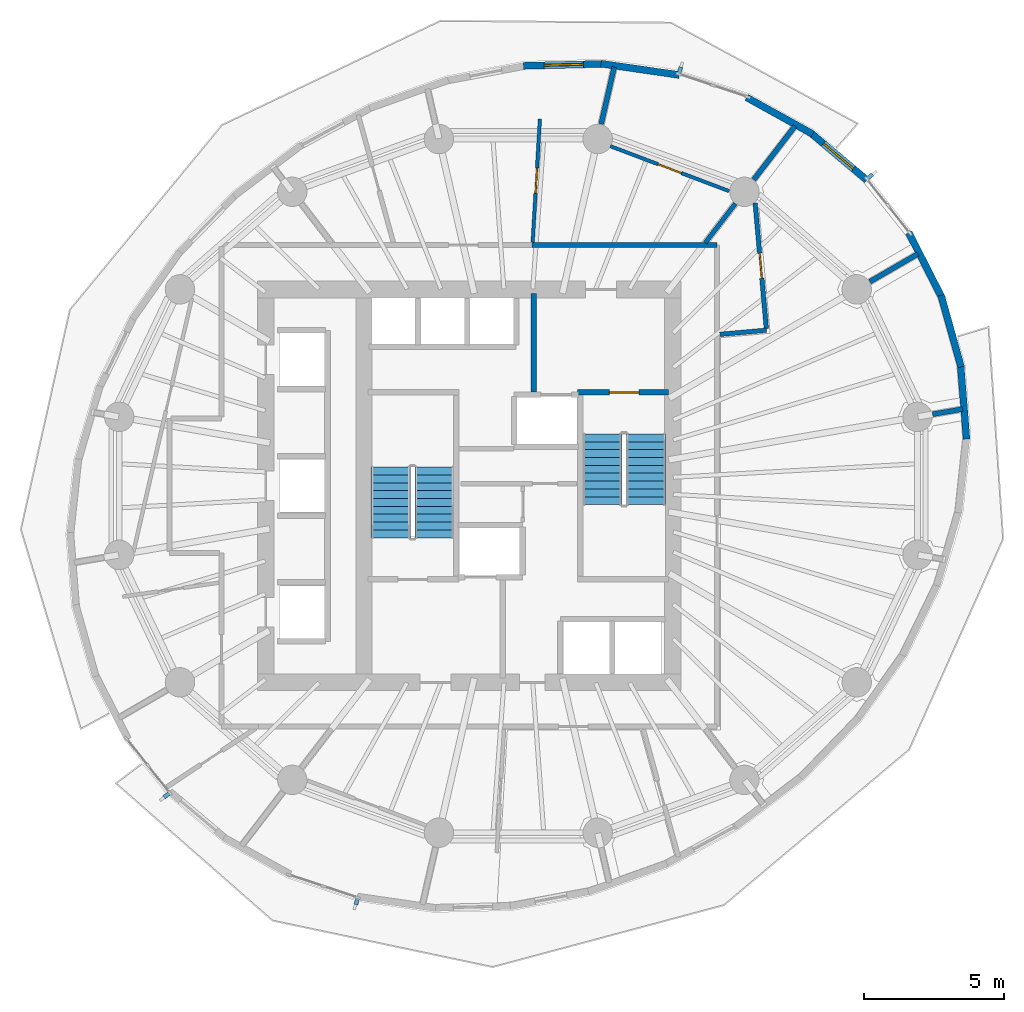
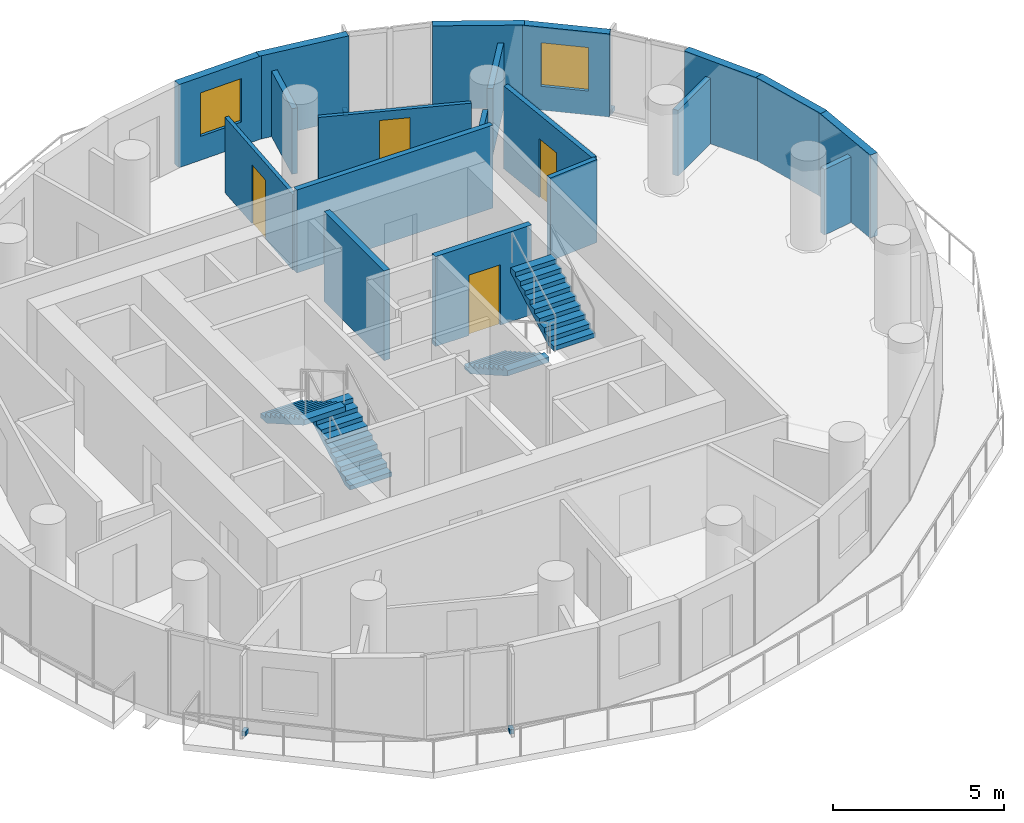
# One storey, part 7 of 12: 19 walls, 4 discrete accessories, 4 doors, 4 stair flights, 2 windows, 6 openings, 2 elements without a shape of their own.
"""IFC4 building model written with IfcOpenShell, lengths in metres."""

from ifc_helpers import new_model, si_unit, direction, frame, frame_2d, origin, origin_2d, place, context, subcontext, project, spatial, polyline, rectangle, outline, extrude, material, layer, layer_set, type_object, element, fill, aggregate, save


model = new_model("IFC4")

# Units and contexts
model_context = context("Model", 3, precision=1e-05, world=origin(), true_north=direction((0.0, 1.0)))
body_context = subcontext(model_context, "Body", "Model", "MODEL_VIEW")
ifc_project = project(units=[si_unit("LENGTHUNIT", "METRE"), si_unit("AREAUNIT", "SQUARE_METRE"), si_unit("VOLUMEUNIT", "CUBIC_METRE"), si_unit("PLANEANGLEUNIT", "RADIAN"), si_unit("MASSUNIT", "GRAM", prefix="KILO")], contexts=[model_context])

# Site, building, storey
site_placement = place(None, origin())
site = spatial("IfcSite", under=ifc_project, at=site_placement, CompositionType="ELEMENT")
building_placement = place(site_placement, origin())
building = spatial("IfcBuilding", under=site, at=building_placement, Name="Veldorim Arch Residences", CompositionType="ELEMENT")
storey_placement = place(building_placement, frame((0.0, 0.0, 136.159912109375)))
storey = spatial("IfcBuildingStorey", under=building, at=storey_placement, Name="L40", CompositionType="ELEMENT", Elevation=136.159912109375)

# Wall, opening, door
ifc_material_1 = material(Name="Acoustic Gypsum Board", Category="gypsum")
ifc_layer_1 = layer(ifc_material_1, 0.125, Name="Acoustic Stud Room Partition Wall 125")
ifc_layer_set_1 = layer_set([ifc_layer_1], Name="Acoustic Gypsum Board")
wall_type_1 = type_object("IfcWallType", Name="Acoustic Stud Room Partition Wall 125", PredefinedType="PARTITIONING", material=ifc_layer_set_1)
wall_1_placement = place(storey_placement, frame((32.76904296875, 37.07275390625, 0.0), z_axis=(0.0, 0.0, 1.0), x_axis=(-0.058751291398, -0.998272651012, 0.0)))
wall_1 = element("IfcWall", 1, at=wall_1_placement, inside=storey, type_object=wall_type_1, Name="L40 interior wall WL-RES-L40-020", PredefinedType="PARTITIONING", context=body_context, shape_type="SweptSolid", body=[
    extrude(rectangle(XDim=4.400634765625, YDim=0.125, at=frame_2d((2.2001953125, 0.0))), origin(), (0.0, 0.0, 1.0), 2.692138671875),
])
opening_1_placement = place(wall_1_placement, frame((1.750244140625, 0.0, 0.0)))
opening_1 = element("IfcOpeningElement", 2, at=opening_1_placement, cuts=wall_1, Name="Opening DR-INT", PredefinedType="OPENING", context=body_context, shape_type="SweptSolid", body=[
    extrude(rectangle(XDim=0.89990234375, YDim=2.10009765625, at=frame_2d((0.449951171875, 1.050048828125))), frame((0.0, 0.072509765625, 0.0), z_axis=(0.0, -1.0, 0.0), x_axis=(1.0, 0.0, 0.0)), (0.0, 0.0, 1.0), 0.14501953125),
])
ifc_material_2 = material(Name="Engineered Timber", Category="wood")
door_type_1 = type_object("IfcDoorType", Name="Apartment Internal Room Timber Door 900x2100", OperationType="SINGLE_SWING_LEFT", PredefinedType="DOOR", material=ifc_material_2)
door_1_placement = place(opening_1_placement, origin())
door_1 = element("IfcDoor", 3, at=door_1_placement, inside=storey, type_object=door_type_1, Name="L40 interior door DR-RES-L40-009", OperationType="SINGLE_SWING_LEFT", OverallHeight=2.10009765625, OverallWidth=0.89990234375, PredefinedType="DOOR", context=body_context, shape_type="SweptSolid", body=[
    extrude(rectangle(XDim=0.89990234375, YDim=2.10009765625, at=frame_2d((0.449951171875, 1.050048828125))), frame((0.0, 0.02490234375, 0.0), z_axis=(0.0, -1.0, 0.0), x_axis=(1.0, 0.0, 0.0)), (0.0, 0.0, 1.0), 0.050048828125),
])
fill(opening_1, door_1)

wall_2_placement = place(storey_placement, frame((35.2783203125, 36.10302734375, 0.0), z_axis=(0.0, 0.0, 1.0), x_axis=(0.935309901838, -0.353829602385, 0.0)))
wall_2 = element("IfcWall", 4, at=wall_2_placement, inside=storey, type_object=wall_type_1, Name="L40 interior wall WL-RES-L40-022", PredefinedType="PARTITIONING", context=body_context, shape_type="SweptSolid", body=[
    extrude(rectangle(XDim=4.525634765625, YDim=0.125, at=frame_2d((2.2626953125, 0.0))), origin(), (0.0, 0.0, 1.0), 2.411376953125),
])
opening_2_placement = place(wall_2_placement, frame((1.81298828125, 0.0, 0.0)))
opening_2 = element("IfcOpeningElement", 5, at=opening_2_placement, cuts=wall_2, Name="Opening DR-INT", PredefinedType="OPENING", context=body_context, shape_type="SweptSolid", body=[
    extrude(rectangle(XDim=0.89990234375, YDim=2.10009765625, at=frame_2d((0.449951171875, 1.050048828125))), frame((0.0, 0.072509765625, 0.0), z_axis=(0.0, -1.0, 0.0), x_axis=(1.0, 0.0, 0.0)), (0.0, 0.0, 1.0), 0.14501953125),
])
door_2_placement = place(opening_2_placement, origin())
door_2 = element("IfcDoor", 6, at=door_2_placement, inside=storey, type_object=door_type_1, Name="L40 interior door DR-RES-L40-010", OperationType="SINGLE_SWING_RIGHT", OverallHeight=2.10009765625, OverallWidth=0.89990234375, PredefinedType="DOOR", context=body_context, shape_type="SweptSolid", body=[
    extrude(rectangle(XDim=0.89990234375, YDim=2.10009765625, at=frame_2d((0.449951171875, 1.050048828125))), frame((0.0, 0.02490234375, 0.0), z_axis=(0.0, -1.0, 0.0), x_axis=(1.0, 0.0, 0.0)), (0.0, 0.0, 1.0), 0.050048828125),
])
fill(opening_2, door_2)

# Walls
ifc_material_3 = material(Name="Lightweight Masonry Block & Gypsum", Category="masonry")
ifc_layer_2 = layer(ifc_material_3, 0.179931640625, Name="Compartment & Corridor Fire-Rated Party Wall 180")
ifc_layer_set_2 = layer_set([ifc_layer_2], Name="Lightweight Masonry Block & Gypsum")
wall_type_2 = type_object("IfcWallType", Name="Compartment & Corridor Fire-Rated Party Wall 180", PredefinedType="PARTITIONING", material=ifc_layer_set_2)
wall_3_placement = place(storey_placement, frame((46.75830078125, 26.55078125, 0.0), z_axis=(0.0, 0.0, 1.0), x_axis=(0.985361391556, 0.170478526599, 0.0)))
element("IfcWall", 7, at=wall_3_placement, inside=storey, type_object=wall_type_2, Name="L40 interior wall WL-PIER-L40-01", PredefinedType="PARTITIONING", context=body_context, shape_type="SweptSolid", body=[
    extrude(rectangle(XDim=1.0869140625, YDim=0.179931640625, at=frame_2d((0.54345703125, 0.0))), origin(), (0.0, 0.0, 1.0), 2.3359375),
])
wall_4_placement = place(storey_placement, frame((44.527587890625, 31.27392578125, 0.0), z_axis=(0.0, 0.0, 1.0), x_axis=(0.864844369658, 0.502040054448, 0.0)))
element("IfcWall", 8, at=wall_4_placement, inside=storey, type_object=wall_type_2, Name="L40 interior wall WL-PIER-L40-02", PredefinedType="PARTITIONING", context=body_context, shape_type="SweptSolid", body=[
    extrude(rectangle(XDim=1.974365234375, YDim=0.179931640625, at=frame_2d((0.9873046875, 0.0))), origin(), (0.0, 0.0, 1.0), 2.3359375),
])
wall_5_placement = place(storey_placement, frame((40.387939453125, 34.908447265625, 0.0), z_axis=(0.0, 0.0, 1.0), x_axis=(0.609549509747, 0.79274800231, 0.0)))
element("IfcWall", 9, at=wall_5_placement, inside=storey, type_object=wall_type_2, Name="L40 interior wall WL-PIER-L40-03", PredefinedType="PARTITIONING", context=body_context, shape_type="SweptSolid", body=[
    extrude(rectangle(XDim=2.414794921875, YDim=0.179931640625, at=frame_2d((1.20751953125, 0.0))), origin(), (0.0, 0.0, 1.0), 2.3359375),
])
wall_6_placement = place(storey_placement, frame((34.950439453125, 36.88916015625, 0.0), z_axis=(0.0, 0.0, 1.0), x_axis=(0.223063251486, 0.974803973031, 0.0)))
element("IfcWall", 10, at=wall_6_placement, inside=storey, type_object=wall_type_2, Name="L40 interior wall WL-PIER-L40-04", PredefinedType="PARTITIONING", context=body_context, shape_type="SweptSolid", body=[
    extrude(rectangle(XDim=2.0849609375, YDim=0.179931640625, at=frame_2d((1.04248046875, 0.0))), origin(), (0.0, 0.0, 1.0), 2.3359375),
])
wall_7_placement = place(storey_placement, frame((32.484619140625, 32.580078125, 0.0), z_axis=(0.0, 0.0, 1.0), x_axis=(1.0, 0.0, 0.0)))
element("IfcWall", 11, at=wall_7_placement, inside=storey, type_object=wall_type_2, Name="L40 interior wall WL-RES-L40-003", PredefinedType="PARTITIONING", context=body_context, shape_type="SweptSolid", body=[
    extrude(rectangle(XDim=6.595458984375, YDim=0.179931640625, at=frame_2d((3.2978515625, 0.0))), origin(), (0.0, 0.0, 1.0), 2.955078125),
])

# Wall, opening, door
ifc_material_4 = material(Name="Concrete C50/60", Category="concrete")
ifc_layer_3 = layer(ifc_material_4, 0.199951171875, Name="Core Stair & Lift Shaft Enclosure Wall 200")
ifc_layer_set_3 = layer_set([ifc_layer_3], Name="Concrete C50/60")
wall_type_3 = type_object("IfcWallType", Name="Core Stair & Lift Shaft Enclosure Wall 200", PredefinedType="SHEAR", material=ifc_layer_set_3)
wall_8_placement = place(storey_placement, frame((34.110107421875, 27.330078125, 0.0), z_axis=(0.0, 0.0, 1.0), x_axis=(1.0, 0.0, 0.0)))
wall_8 = element("IfcWall", 12, at=wall_8_placement, inside=storey, type_object=wall_type_3, Name="L40 shaft wall WL-SHF-L40-ST2-N", PredefinedType="SHEAR", context=body_context, shape_type="SweptSolid", body=[
    extrude(rectangle(XDim=3.239990234375, YDim=0.199951171875, at=frame_2d((1.6201171875, 0.0))), origin(), (0.0, 0.0, 1.0), 3.2001953125),
])
opening_3_placement = place(wall_8_placement, frame((1.135009765625, 0.0, 0.0)))
opening_3 = element("IfcOpeningElement", 13, at=opening_3_placement, cuts=wall_8, Name="Opening DR-ST", PredefinedType="OPENING", context=body_context, shape_type="SweptSolid", body=[
    extrude(rectangle(XDim=1.050048828125, YDim=2.14990234375, at=frame_2d((0.52490234375, 1.074951171875))), frame((0.0, 0.10986328125, 0.0), z_axis=(0.0, -1.0, 0.0), x_axis=(1.0, 0.0, 0.0)), (0.0, 0.0, 1.0), 0.219970703125),
])
ifc_material_5 = material(Name="Fire-Rated Steel", Category="steel")
door_type_2 = type_object("IfcDoorType", Name="Exit Staircase Self-Closing Fire Door 1050x2150", OperationType="SINGLE_SWING_LEFT", PredefinedType="DOOR", material=ifc_material_5)
door_3_placement = place(opening_3_placement, origin())
door_3 = element("IfcDoor", 14, at=door_3_placement, inside=storey, type_object=door_type_2, Name="L40 interior door DR-L40-ST2", OperationType="SINGLE_SWING_RIGHT", OverallHeight=2.14990234375, OverallWidth=1.050048828125, PredefinedType="DOOR", context=body_context, shape_type="SweptSolid", body=[
    extrude(rectangle(XDim=1.050048828125, YDim=2.14990234375, at=frame_2d((0.52490234375, 1.074951171875))), frame((0.0, 0.02490234375, 0.0), z_axis=(0.0, -1.0, 0.0), x_axis=(1.0, 0.0, 0.0)), (0.0, 0.0, 1.0), 0.050048828125),
])
fill(opening_3, door_3)

# Wall
wall_9_placement = place(storey_placement, frame((32.550048828125, 27.35009765625, 0.0), z_axis=(0.0, 0.0, 1.0), x_axis=(0.0, 1.0, 0.0)))
element("IfcWall", 15, at=wall_9_placement, inside=storey, type_object=wall_type_3, Name="L40 shaft wall WL-FFL2-L40-W", PredefinedType="SHEAR", context=body_context, shape_type="SweptSolid", body=[
    extrude(rectangle(XDim=3.5, YDim=0.199951171875, at=frame_2d((1.75, 0.0))), origin(), (0.0, 0.0, 1.0), 3.2001953125),
])

# Wall, opening, window
ifc_material_6 = material(Name="Precast concrete C40/50", Category="concrete")
ifc_layer_4 = layer(ifc_material_6, 0.25, Name="Tower Terracotta Spandrel & Pier Wall 250")
ifc_layer_set_4 = layer_set([ifc_layer_4], Name="Precast concrete C40/50")
wall_type_4 = type_object("IfcWallType", Name="Tower Terracotta Spandrel & Pier Wall 250", PredefinedType="SOLIDWALL", material=ifc_layer_set_4)
wall_10_placement = place(storey_placement, frame((42.39453125, 36.601318359375, 0.0), z_axis=(0.0, 0.0, 1.0), x_axis=(0.764825125467, -0.644237943197, 0.0)))
wall_10 = element("IfcWall", 16, at=wall_10_placement, inside=storey, type_object=wall_type_4, Name="L40 terracotta facade wall 02", PredefinedType="SOLIDWALL", context=body_context, shape_type="SweptSolid", body=[
    extrude(rectangle(XDim=2.648193359375, YDim=0.25, at=frame_2d((1.32421875, 0.0))), origin(), (0.0, 0.0, 1.0), 2.960205078125),
])
opening_4_placement = place(wall_10_placement, frame((0.6240234375, 0.0, 0.85009765625)))
opening_4 = element("IfcOpeningElement", 17, at=opening_4_placement, cuts=wall_10, Name="Opening WN-02", PredefinedType="OPENING", context=body_context, shape_type="SweptSolid", body=[
    extrude(rectangle(XDim=1.39990234375, YDim=1.550048828125, at=frame_2d((0.699951171875, 0.77490234375))), frame((0.0, 0.135009765625, 0.0), z_axis=(0.0, -1.0, 0.0), x_axis=(1.0, 0.0, 0.0)), (0.0, 0.0, 1.0), 0.27001953125),
])
ifc_material_7 = material(Name="Laminated Low-E Glass", Category="glass")
window_type = type_object("IfcWindowType", Name="Residential Casement Window 1400x1550", PartitioningType="SINGLE_PANEL", PredefinedType="WINDOW", material=ifc_material_7)
window_1_placement = place(opening_4_placement, origin())
window_1 = element("IfcWindow", 18, at=window_1_placement, inside=storey, type_object=window_type, Name="L40 solar-control facade window 02", OverallHeight=1.550048828125, OverallWidth=1.39990234375, PartitioningType="SINGLE_PANEL", PredefinedType="WINDOW", context=body_context, shape_type="SweptSolid", body=[
    extrude(rectangle(XDim=1.39990234375, YDim=1.550048828125, at=frame_2d((0.699951171875, 0.77490234375))), frame((0.0, 0.030029296875, 0.0), z_axis=(0.0, -1.0, 0.0), x_axis=(1.0, 0.0, 0.0)), (0.0, 0.0, 1.0), 0.06005859375),
])
fill(opening_4, window_1)

# Walls
wall_11_placement = place(storey_placement, frame((40.1337890625, 37.84375, 0.0), z_axis=(0.0, 0.0, 1.0), x_axis=(0.874341102682, -0.485311895755, 0.0)))
element("IfcWall", 19, at=wall_11_placement, inside=storey, type_object=wall_type_4, Name="L40 terracotta facade wall 03", PredefinedType="SOLIDWALL", context=body_context, shape_type="SweptSolid", body=[
    extrude(rectangle(XDim=2.69287109375, YDim=0.25, at=frame_2d((1.346435546875, 0.0))), origin(), (0.0, 0.0, 1.0), 2.960205078125),
])
wall_12_placement = place(storey_placement, frame((34.94580078125, 39.045166015625, 0.0), z_axis=(0.0, 0.0, 1.0), x_axis=(0.98966505468, -0.143398324768, 0.0)))
element("IfcWall", 20, at=wall_12_placement, inside=storey, type_object=wall_type_4, Name="L40 terracotta facade wall 05", PredefinedType="SOLIDWALL", context=body_context, shape_type="SweptSolid", body=[
    extrude(rectangle(XDim=2.817626953125, YDim=0.25, at=frame_2d((1.40869140625, 0.0))), origin(), (0.0, 0.0, 1.0), 2.960205078125),
])

# Wall, opening, window
wall_13_placement = place(storey_placement, frame((32.175537109375, 38.966796875, 0.0), z_axis=(0.0, 0.0, 1.0), x_axis=(0.999687646408, 0.02499219116, 0.0)))
wall_13 = element("IfcWall", 21, at=wall_13_placement, inside=storey, type_object=wall_type_4, Name="L40 terracotta facade wall 06", PredefinedType="SOLIDWALL", context=body_context, shape_type="SweptSolid", body=[
    extrude(rectangle(XDim=2.8818359375, YDim=0.25, at=frame_2d((1.44091796875, 0.0))), origin(), (0.0, 0.0, 1.0), 2.960205078125),
])
opening_5_placement = place(wall_13_placement, frame((0.740966796875, 0.0, 0.85009765625)))
opening_5 = element("IfcOpeningElement", 22, at=opening_5_placement, cuts=wall_13, Name="Opening WN-02", PredefinedType="OPENING", context=body_context, shape_type="SweptSolid", body=[
    extrude(rectangle(XDim=1.39990234375, YDim=1.550048828125, at=frame_2d((0.699951171875, 0.77490234375))), frame((0.0, 0.135009765625, 0.0), z_axis=(0.0, -1.0, 0.0), x_axis=(1.0, 0.0, 0.0)), (0.0, 0.0, 1.0), 0.27001953125),
])
window_2_placement = place(opening_5_placement, origin())
window_2 = element("IfcWindow", 23, at=window_2_placement, inside=storey, type_object=window_type, Name="L40 solar-control facade window 06", OverallHeight=1.550048828125, OverallWidth=1.39990234375, PartitioningType="SINGLE_PANEL", PredefinedType="WINDOW", context=body_context, shape_type="SweptSolid", body=[
    extrude(rectangle(XDim=1.39990234375, YDim=1.550048828125, at=frame_2d((0.699951171875, 0.77490234375))), frame((0.0, 0.030029296875, 0.0), z_axis=(0.0, -1.0, 0.0), x_axis=(1.0, 0.0, 0.0)), (0.0, 0.0, 1.0), 0.06005859375),
])
fill(opening_5, window_2)

# Walls
wall_14_placement = place(storey_placement, frame((47.755859375, 28.350341796875, 0.0), z_axis=(0.0, 0.0, 1.0), x_axis=(0.079420906371, -0.996841170714, 0.0)))
element("IfcWall", 24, at=wall_14_placement, inside=storey, type_object=wall_type_4, Name="L40 terracotta facade wall 34", PredefinedType="SOLIDWALL", context=body_context, shape_type="SweptSolid", body=[
    extrude(rectangle(XDim=2.69287109375, YDim=0.25, at=frame_2d((1.346435546875, 0.0))), origin(), (0.0, 0.0, 1.0), 2.960205078125),
])
wall_15_placement = place(storey_placement, frame((47.062255859375, 30.788818359375, 0.0), z_axis=(0.0, 0.0, 1.0), x_axis=(0.269469206067, -0.963009006698, 0.0)))
element("IfcWall", 25, at=wall_15_placement, inside=storey, type_object=wall_type_4, Name="L40 terracotta facade wall 35", PredefinedType="SOLIDWALL", context=body_context, shape_type="SweptSolid", body=[
    extrude(rectangle(XDim=2.648193359375, YDim=0.25, at=frame_2d((1.32421875, 0.0))), origin(), (0.0, 0.0, 1.0), 2.960205078125),
])
wall_16_placement = place(storey_placement, frame((45.912109375, 33.02001953125, 0.0), z_axis=(0.0, 0.0, 1.0), x_axis=(0.454196134835, -0.890901717981, 0.0)))
element("IfcWall", 26, at=wall_16_placement, inside=storey, type_object=wall_type_4, Name="L40 terracotta facade wall 36", PredefinedType="SOLIDWALL", context=body_context, shape_type="SweptSolid", body=[
    extrude(rectangle(XDim=2.624267578125, YDim=0.25, at=frame_2d((1.31201171875, 0.0))), origin(), (0.0, 0.0, 1.0), 2.960205078125),
])
ifc_material_8 = material(Name="Moisture-Resistant Gypsum & Stud", Category="gypsum")
ifc_layer_5 = layer(ifc_material_8, 0.159912109375, Name="Wet-Area Moisture-Resistant Plumbing Wall 160")
ifc_layer_set_5 = layer_set([ifc_layer_5], Name="Moisture-Resistant Gypsum & Stud")
wall_type_5 = type_object("IfcWallType", Name="Wet-Area Moisture-Resistant Plumbing Wall 160", PredefinedType="PLUMBINGWALL", material=ifc_layer_set_5)
wall_17_placement = place(storey_placement, frame((39.1796875, 29.398193359375, 0.0), z_axis=(0.0, 0.0, 1.0), x_axis=(0.996058284503, 0.088701149215, 0.0)))
element("IfcWall", 27, at=wall_17_placement, inside=storey, type_object=wall_type_5, Name="L40 interior wall WL-RES-L40-016", PredefinedType="PLUMBINGWALL", context=body_context, shape_type="SweptSolid", body=[
    extrude(rectangle(XDim=1.66796875, YDim=0.159912109375, at=frame_2d((0.833984375, 0.0))), origin(), (0.0, 0.0, 1.0), 2.955078125),
])

# Wall, opening, door
wall_18_placement = place(storey_placement, frame((40.835693359375, 29.60595703125, 0.0), z_axis=(0.0, 0.0, 1.0), x_axis=(-0.08877110741, 0.996052052098, 0.0)))
wall_18 = element("IfcWall", 28, at=wall_18_placement, inside=storey, type_object=wall_type_5, Name="L40 interior wall WL-RES-L40-017", PredefinedType="PLUMBINGWALL", context=body_context, shape_type="SweptSolid", body=[
    extrude(rectangle(XDim=4.4912109375, YDim=0.159912109375, at=frame_2d((2.24560546875, 0.0))), origin(), (0.0, 0.0, 1.0), 2.955078125),
])
opening_6_placement = place(wall_18_placement, frame((1.795654296875, 0.0, 0.0)))
opening_6 = element("IfcOpeningElement", 29, at=opening_6_placement, cuts=wall_18, Name="Opening DR-WC", PredefinedType="OPENING", context=body_context, shape_type="SweptSolid", body=[
    extrude(rectangle(XDim=0.89990234375, YDim=2.10009765625, at=frame_2d((0.449951171875, 1.050048828125))), frame((0.0, 0.08984375, 0.0), z_axis=(0.0, -1.0, 0.0), x_axis=(1.0, 0.0, 0.0)), (0.0, 0.0, 1.0), 0.179931640625),
])
ifc_material_9 = material(Name="Laminate Timber", Category="wood")
door_type_3 = type_object("IfcDoorType", Name="Bathroom & Accessible WC Moisture-Sealed Door 900x2100", OperationType="SINGLE_SWING_LEFT", PredefinedType="DOOR", material=ifc_material_9)
door_4_placement = place(opening_6_placement, origin())
door_4 = element("IfcDoor", 30, at=door_4_placement, inside=storey, type_object=door_type_3, Name="L40 interior door DR-RES-L40-006", OperationType="SINGLE_SWING_RIGHT", OverallHeight=2.10009765625, OverallWidth=0.89990234375, PredefinedType="DOOR", context=body_context, shape_type="SweptSolid", body=[
    extrude(rectangle(XDim=0.89990234375, YDim=2.10009765625, at=frame_2d((0.449951171875, 1.050048828125))), frame((0.0, 0.02490234375, 0.0), z_axis=(0.0, -1.0, 0.0), x_axis=(1.0, 0.0, 0.0)), (0.0, 0.0, 1.0), 0.050048828125),
])
fill(opening_6, door_4)

# Wall
wall_19_placement = place(storey_placement, frame((38.658447265625, 32.6591796875, 0.0), z_axis=(0.0, 0.0, 1.0), x_axis=(0.609536601946, 0.792757927042, 0.0)))
element("IfcWall", 31, at=wall_19_placement, inside=storey, type_object=wall_type_5, Name="L40 interior wall WL-RES-L40-018", PredefinedType="PLUMBINGWALL", context=body_context, shape_type="SweptSolid", body=[
    extrude(rectangle(XDim=1.761474609375, YDim=0.159912109375, at=frame_2d((0.880859375, 0.0))), origin(), (0.0, 0.0, 1.0), 2.3359375),
])

# Stair, stair flights
ifc_material_10 = material(Name="Concrete C40/50", Category="concrete")
stair_type = type_object("IfcStairType", Name="Reinforced Concrete Dogleg Exit Staircase", PredefinedType="HALF_TURN_STAIR", material=ifc_material_10)
stair_1_placement = place(storey_placement, origin())
stair_1 = element("IfcStair", 32, at=stair_1_placement, inside=storey, type_object=stair_type, Name="L40 Exit Staircase ST-1", PredefinedType="HALF_TURN_STAIR")
ifc_material_11 = material(Name="Concrete C40/50", Category="concrete")
stair_flight_type = type_object("IfcStairFlightType", Name="Reinforced Concrete Stair Flight 1400", PredefinedType="STRAIGHT", material=ifc_material_11)
stair_flight_1_placement = place(storey_placement, frame((29.010009765625, 22.14990234375, 0.0), z_axis=(0.0, 0.0, 1.0), x_axis=(0.0, 1.0, 0.0)))
stair_flight_1 = element("IfcStairFlight", 33, at=stair_flight_1_placement, type_object=stair_flight_type, Name="ST-1 flight 1", NumberOfRisers=10, NumberOfTreads=9, PredefinedType="STRAIGHT", RiserHeight=0.16, TreadLength=0.28, context=body_context, shape_type="SweptSolid", body=[
    extrude(outline(polyline([(0.0, 0.0), (0.0, 0.159912109375), (0.280029296875, 0.159912109375), (0.280029296875, 0.320068359375), (0.56005859375, 0.320068359375), (0.56005859375, 0.47998046875), (0.840087890625, 0.47998046875), (0.840087890625, 0.639892578125), (1.1201171875, 0.639892578125), (1.1201171875, 0.800048828125), (1.39990234375, 0.800048828125), (1.39990234375, 0.9599609375), (1.679931640625, 0.9599609375), (1.679931640625, 1.1201171875), (1.9599609375, 1.1201171875), (1.9599609375, 1.280029296875), (2.239990234375, 1.280029296875), (2.239990234375, 1.43994140625), (2.52001953125, 1.43994140625), (2.52001953125, 1.60009765625), (2.52001953125, 1.255859375), (0.322265625, 0.0), (0.0, 0.0)])), frame((0.0, 0.699951171875, 0.0), z_axis=(0.0, -1.0, 0.0), x_axis=(1.0, 0.0, 0.0)), (0.0, 0.0, 1.0), 1.39990234375),
])
stair_flight_2_placement = place(storey_placement, frame((27.449951171875, 24.669921875, 1.60009765625), z_axis=(0.0, 0.0, 1.0), x_axis=(0.0, -1.0, 0.0)))
stair_flight_2 = element("IfcStairFlight", 34, at=stair_flight_2_placement, type_object=stair_flight_type, Name="ST-1 flight 2", NumberOfRisers=10, NumberOfTreads=9, PredefinedType="STRAIGHT", RiserHeight=0.16, TreadLength=0.28, context=body_context, shape_type="SweptSolid", body=[
    extrude(outline(polyline([(0.0, 0.0), (0.0, 0.159912109375), (0.280029296875, 0.159912109375), (0.280029296875, 0.320068359375), (0.56005859375, 0.320068359375), (0.56005859375, 0.47998046875), (0.840087890625, 0.47998046875), (0.840087890625, 0.639892578125), (1.1201171875, 0.639892578125), (1.1201171875, 0.800048828125), (1.39990234375, 0.800048828125), (1.39990234375, 0.9599609375), (1.679931640625, 0.9599609375), (1.679931640625, 1.1201171875), (1.9599609375, 1.1201171875), (1.9599609375, 1.280029296875), (2.239990234375, 1.280029296875), (2.239990234375, 1.43994140625), (2.52001953125, 1.43994140625), (2.52001953125, 1.60009765625), (2.52001953125, 1.255859375), (0.322265625, 0.0), (0.0, 0.0)])), frame((0.0, 0.699951171875, 0.0), z_axis=(0.0, -1.0, 0.0), x_axis=(1.0, 0.0, 0.0)), (0.0, 0.0, 1.0), 1.39990234375),
])
aggregate(stair_1, [stair_flight_1, stair_flight_2])

stair_2_placement = place(storey_placement, origin())
stair_2 = element("IfcStair", 35, at=stair_2_placement, inside=storey, type_object=stair_type, Name="L40 Exit Staircase ST-2", PredefinedType="HALF_TURN_STAIR")
stair_flight_3_placement = place(storey_placement, frame((34.989990234375, 25.85009765625, 0.0), z_axis=(0.0, 0.0, 1.0), x_axis=(0.0, -1.0, 0.0)))
stair_flight_3 = element("IfcStairFlight", 36, at=stair_flight_3_placement, type_object=stair_flight_type, Name="ST-2 flight 1", NumberOfRisers=10, NumberOfTreads=9, PredefinedType="STRAIGHT", RiserHeight=0.16, TreadLength=0.28, context=body_context, shape_type="SweptSolid", body=[
    extrude(outline(polyline([(0.0, 0.0), (0.0, 0.159912109375), (0.280029296875, 0.159912109375), (0.280029296875, 0.320068359375), (0.56005859375, 0.320068359375), (0.56005859375, 0.47998046875), (0.840087890625, 0.47998046875), (0.840087890625, 0.639892578125), (1.1201171875, 0.639892578125), (1.1201171875, 0.800048828125), (1.39990234375, 0.800048828125), (1.39990234375, 0.9599609375), (1.679931640625, 0.9599609375), (1.679931640625, 1.1201171875), (1.9599609375, 1.1201171875), (1.9599609375, 1.280029296875), (2.239990234375, 1.280029296875), (2.239990234375, 1.43994140625), (2.52001953125, 1.43994140625), (2.52001953125, 1.60009765625), (2.52001953125, 1.255859375), (0.322265625, 0.0), (0.0, 0.0)])), frame((0.0, 0.699951171875, 0.0), z_axis=(0.0, -1.0, 0.0), x_axis=(1.0, 0.0, 0.0)), (0.0, 0.0, 1.0), 1.39990234375),
])
stair_flight_4_placement = place(storey_placement, frame((36.550048828125, 23.330078125, 1.60009765625), z_axis=(0.0, 0.0, 1.0), x_axis=(0.0, 1.0, 0.0)))
stair_flight_4 = element("IfcStairFlight", 37, at=stair_flight_4_placement, type_object=stair_flight_type, Name="ST-2 flight 2", NumberOfRisers=10, NumberOfTreads=9, PredefinedType="STRAIGHT", RiserHeight=0.16, TreadLength=0.28, context=body_context, shape_type="SweptSolid", body=[
    extrude(outline(polyline([(0.0, 0.0), (0.0, 0.159912109375), (0.280029296875, 0.159912109375), (0.280029296875, 0.320068359375), (0.56005859375, 0.320068359375), (0.56005859375, 0.47998046875), (0.840087890625, 0.47998046875), (0.840087890625, 0.639892578125), (1.1201171875, 0.639892578125), (1.1201171875, 0.800048828125), (1.39990234375, 0.800048828125), (1.39990234375, 0.9599609375), (1.679931640625, 0.9599609375), (1.679931640625, 1.1201171875), (1.9599609375, 1.1201171875), (1.9599609375, 1.280029296875), (2.239990234375, 1.280029296875), (2.239990234375, 1.43994140625), (2.52001953125, 1.43994140625), (2.52001953125, 1.60009765625), (2.52001953125, 1.255859375), (0.322265625, 0.0), (0.0, 0.0)])), frame((0.0, 0.699951171875, 0.0), z_axis=(0.0, -1.0, 0.0), x_axis=(1.0, 0.0, 0.0)), (0.0, 0.0, 1.0), 1.39990234375),
])
aggregate(stair_2, [stair_flight_3, stair_flight_4])

# Discrete accessories
ifc_material_12 = material(Name="Stainless Steel", Category="steel")
discrete_accessory_type = type_object("IfcDiscreteAccessoryType", Name="Stainless Steel Facade Fin Anchor Bracket", PredefinedType="BRACKET", material=ifc_material_12)
for number, where, z_axis, x_axis, name in (
    (38, (44.527099609375, 35.023681640625, -0.02001953125), (0.0, 0.0, 1.0), (0.622514636638, -0.782608156852, 0.0), "L40 stainless fin anchor bracket 01"),
    (39, (37.756591796875, 38.8076171875, -0.02001953125), (0.0, 0.0, 1.0), (0.948931088342, -0.315483422034, 0.0), "L40 stainless fin anchor bracket 04"),
    (40, (19.472900390625, 12.976318359375, -0.02001953125), (0.0, 0.0, 1.0), (-0.622514636638, 0.782608156852, 0.0), "L40 stainless fin anchor bracket 19"),
    (41, (26.243408203125, 9.1923828125, -0.02001953125), (0.0, 0.0, 1.0), (-0.948931088342, 0.315483422034, 0.0), "L40 stainless fin anchor bracket 22"),
):
    element("IfcDiscreteAccessory", number, at=place(storey_placement, frame(where, z_axis=z_axis, x_axis=x_axis)), inside=storey, type_object=discrete_accessory_type, Name=name, PredefinedType="BRACKET", context=body_context, shape_type="SweptSolid", body=[
        extrude(rectangle(XDim=0.139892578125, YDim=0.239990234375, at=origin_2d()), origin(), (0.0, 0.0, 1.0), 0.159912109375),
    ])

save(model, "model.ifc")
